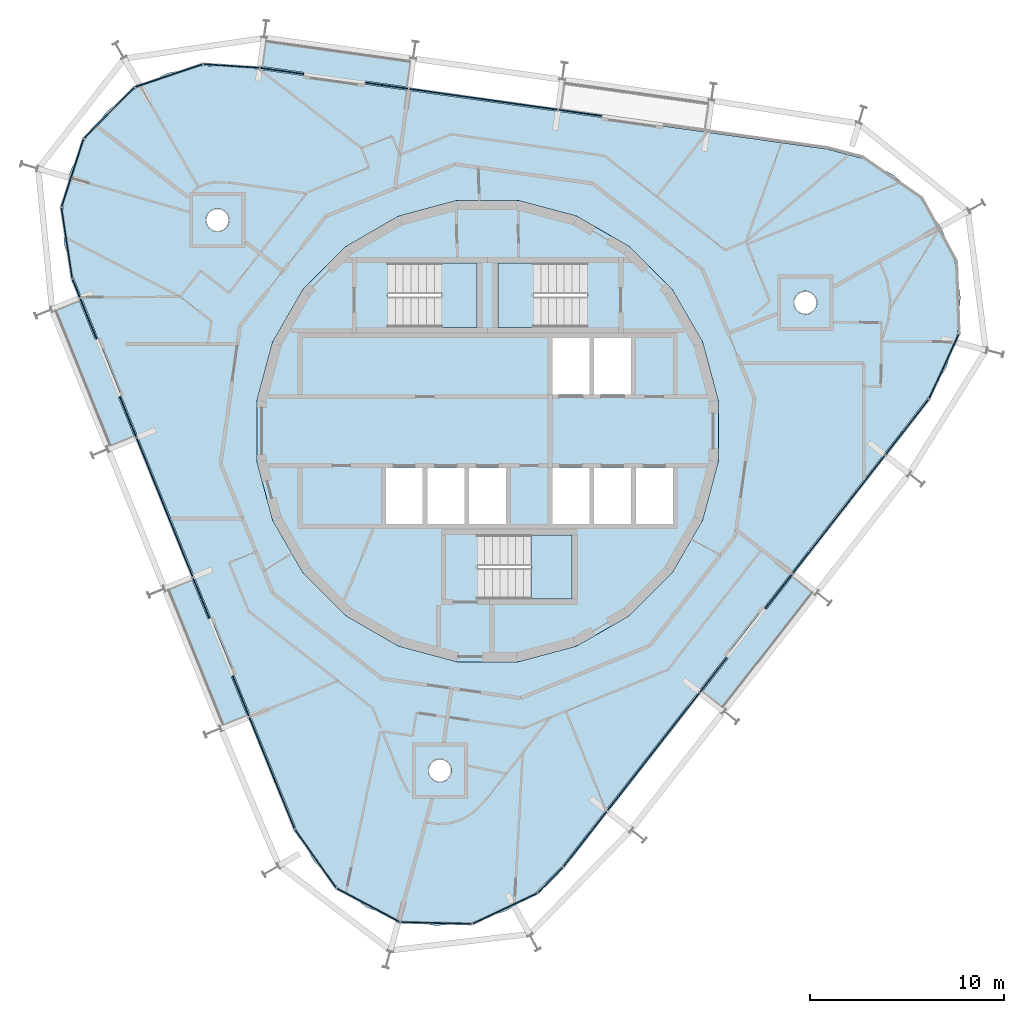
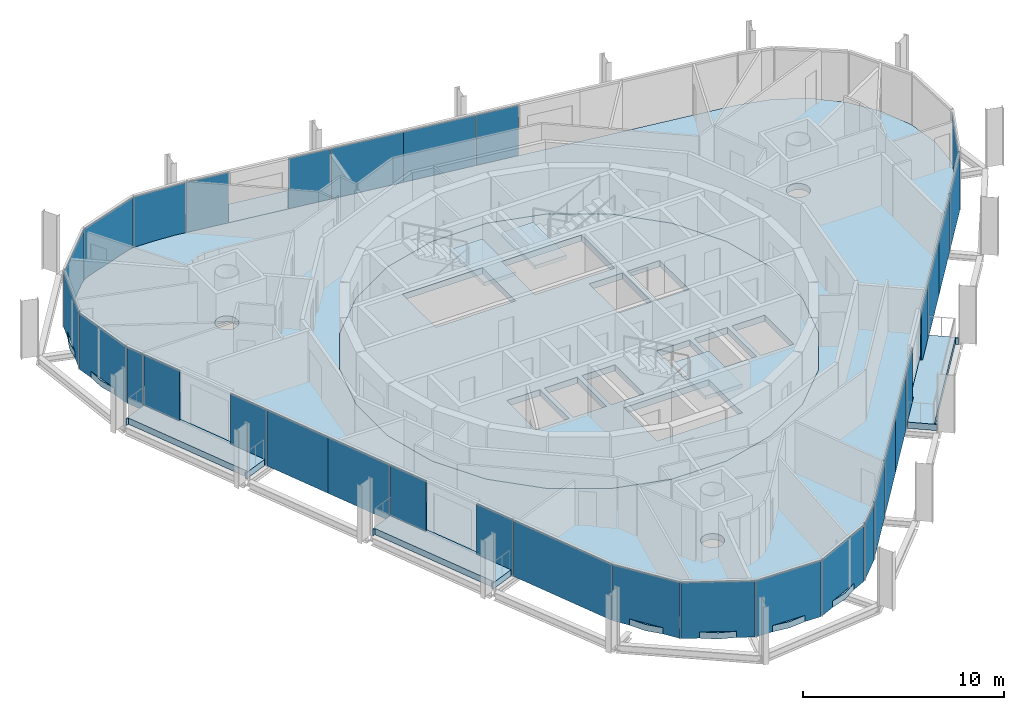
# One storey, part 8 of 15: 32 plates, 9 slabs, 9 elements without a shape of their own.
"""IFC4 building model written with IfcOpenShell, lengths in metres."""

from ifc_helpers import new_model, si_unit, direction, frame, origin, origin_2d, place, context, subcontext, project, spatial, polyline, rectangle, outline, extrude, material, layer, layer_set, type_object, element, aggregate, save


model = new_model("IFC4")

# Units and contexts
model_context = context("Model", 3, precision=1e-05, world=origin(), true_north=direction((0.0, 1.0)))
body_context = subcontext(model_context, "Body", "Model", "MODEL_VIEW")
ifc_project = project(units=[si_unit("LENGTHUNIT", "METRE"), si_unit("AREAUNIT", "SQUARE_METRE"), si_unit("VOLUMEUNIT", "CUBIC_METRE"), si_unit("PLANEANGLEUNIT", "RADIAN"), si_unit("MASSUNIT", "GRAM", prefix="KILO")], contexts=[model_context])

# Site, building, storey
site_placement = place(None, origin())
site = spatial("IfcSite", under=ifc_project, at=site_placement, CompositionType="ELEMENT")
building_placement = place(site_placement, origin())
building = spatial("IfcBuilding", under=site, at=building_placement, Name="Spindle Arch Residences", CompositionType="ELEMENT")
storey_placement = place(building_placement, frame((0.0, 0.0, 357.5)))
storey = spatial("IfcBuildingStorey", under=building, at=storey_placement, Name="L92", CompositionType="ELEMENT", Elevation=357.5)

# Slabs
ifc_material_1 = material(Name="Concrete C40/50", Category="concrete")
ifc_layer_1 = layer(ifc_material_1, 0.3798828125)
ifc_layer_set_1 = layer_set([ifc_layer_1], Name="Balcony slab 380")
slab_type_1 = type_object("IfcSlabType", Name="Balcony slab 380", PredefinedType="FLOOR", material=ifc_layer_set_1)
slab_1_placement = place(storey_placement, frame((0.0, 0.0, -0.3798828125)))
element("IfcSlab", 1, at=slab_1_placement, inside=storey, type_object=slab_type_1, Name="Balcony L92 bay 8", PredefinedType="FLOOR", context=body_context, shape_type="SweptSolid", body=[
    extrude(outline(polyline([(-3.909423828125, 19.219482421875), (-3.98388671875, 19.22998046875), (-4.004638671875, 19.08154296875), (-11.397705078125, 20.120361328125), (-11.376708984375, 20.26904296875), (-11.450927734375, 20.279541015625), (-11.658447265625, 18.803955078125), (-9.47216796875, 18.49658203125), (-9.494384765625, 18.338134765625), (-6.325439453125, 17.892822265625), (-6.30322265625, 18.05126953125), (-4.116943359375, 17.744140625), (-3.909423828125, 19.219482421875)])), origin(), (0.0, 0.0, 1.0), 0.3798828125),
])
slab_2_placement = place(storey_placement, frame((0.0, 0.0, -0.3798828125)))
element("IfcSlab", 2, at=slab_2_placement, inside=storey, type_object=slab_type_1, Name="Balcony L92 bay 12", PredefinedType="FLOOR", context=body_context, shape_type="SweptSolid", body=[
    extrude(outline(polyline([(-22.447265625, 6.204833984375), (-22.419189453125, 6.13525390625), (-22.280029296875, 6.19140625), (-19.4833984375, -0.73046875), (-19.62255859375, -0.78662109375), (-19.594482421875, -0.856201171875), (-18.212890625, -0.298095703125), (-19.0400390625, 1.7490234375), (-18.8916015625, 1.808837890625), (-20.09033203125, 4.77587890625), (-20.23876953125, 4.716064453125), (-21.06591796875, 6.762939453125), (-22.447265625, 6.204833984375)])), origin(), (0.0, 0.0, 1.0), 0.3798828125),
])
slab_3_placement = place(storey_placement, frame((0.0, 0.0, -0.3798828125)))
element("IfcSlab", 3, at=slab_3_placement, inside=storey, type_object=slab_type_1, Name="Balcony L92 bay 14", PredefinedType="FLOOR", context=body_context, shape_type="SweptSolid", body=[
    extrude(outline(polyline([(-16.629150390625, -8.195556640625), (-16.60107421875, -8.264892578125), (-16.462158203125, -8.208740234375), (-13.665283203125, -15.130859375), (-13.804443359375, -15.18701171875), (-13.7763671875, -15.256591796875), (-12.394775390625, -14.6982421875), (-13.221923828125, -12.6513671875), (-13.073486328125, -12.59130859375), (-14.272216796875, -9.624267578125), (-14.420654296875, -9.684326171875), (-15.247802734375, -7.63720703125), (-16.629150390625, -8.195556640625)])), origin(), (0.0, 0.0, 1.0), 0.3798828125),
])
slab_4_placement = place(storey_placement, frame((0.0, 0.0, -0.3798828125)))
element("IfcSlab", 4, at=slab_4_placement, inside=storey, type_object=slab_type_1, Name="Balcony L92 bay 20", PredefinedType="FLOOR", context=body_context, shape_type="SweptSolid", body=[
    extrude(outline(polyline([(12.224853515625, -14.38330078125), (12.27099609375, -14.323974609375), (12.15283203125, -14.231689453125), (16.7490234375, -8.348876953125), (16.8671875, -8.441162109375), (16.913330078125, -8.382080078125), (15.7392578125, -7.464599609375), (14.3798828125, -9.204345703125), (14.25390625, -9.10595703125), (12.28369140625, -11.627685546875), (12.409912109375, -11.72607421875), (11.050537109375, -13.4658203125), (12.224853515625, -14.38330078125)])), origin(), (0.0, 0.0, 1.0), 0.3798828125),
])
ifc_material_2 = material(Name="Concrete C50/60", Category="concrete")
ifc_layer_2 = layer(ifc_material_2, 0.3798828125)
ifc_layer_set_2 = layer_set([ifc_layer_2], Name="Core floor slab 380")
slab_type_2 = type_object("IfcSlabType", Name="Core floor slab 380", PredefinedType="FLOOR", material=ifc_layer_set_2)
slab_5_placement = place(storey_placement, frame((0.0, 0.0, -0.3798828125)))
element("IfcSlab", 5, at=slab_5_placement, inside=storey, type_object=slab_type_2, Name="Core floor L92", PredefinedType="FLOOR", context=body_context, shape_type="SweptSolid", body=[
    extrude(outline(polyline([(1.56640625, -11.897216796875), (4.59228515625, -11.086669921875), (7.30517578125, -9.520263671875), (9.520263671875, -7.30517578125), (11.086669921875, -4.59228515625), (11.897216796875, -1.56640625), (11.897216796875, 1.56640625), (11.086669921875, 4.59228515625), (9.520263671875, 7.30517578125), (7.30517578125, 9.520263671875), (4.59228515625, 11.086669921875), (1.56640625, 11.897216796875), (-1.56640625, 11.897216796875), (-4.59228515625, 11.086669921875), (-7.30517578125, 9.520263671875), (-9.520263671875, 7.30517578125), (-11.086669921875, 4.59228515625), (-11.897216796875, 1.56640625), (-11.897216796875, -1.56640625), (-11.086669921875, -4.59228515625), (-9.520263671875, -7.30517578125), (-7.30517578125, -9.520263671875), (-4.59228515625, -11.086669921875), (-1.56640625, -11.897216796875), (1.56640625, -11.897216796875)]), holes=[polyline([(3.35009765625, 1.89990234375), (5.25, 1.89990234375), (5.25, 4.800048828125), (3.35009765625, 4.800048828125), (3.35009765625, 1.89990234375)]), polyline([(5.5, 1.89990234375), (7.39990234375, 1.89990234375), (7.39990234375, 4.800048828125), (5.5, 4.800048828125), (5.5, 1.89990234375)]), polyline([(-5.25, -4.800048828125), (-3.35009765625, -4.800048828125), (-3.35009765625, -1.89990234375), (-5.25, -1.89990234375), (-5.25, -4.800048828125)]), polyline([(-3.10009765625, -4.800048828125), (-1.199951171875, -4.800048828125), (-1.199951171875, -1.89990234375), (-3.10009765625, -1.89990234375), (-3.10009765625, -4.800048828125)]), polyline([(-0.949951171875, -4.800048828125), (0.949951171875, -4.800048828125), (0.949951171875, -1.89990234375), (-0.949951171875, -1.89990234375), (-0.949951171875, -4.800048828125)]), polyline([(3.35009765625, -4.800048828125), (5.25, -4.800048828125), (5.25, -1.89990234375), (3.35009765625, -1.89990234375), (3.35009765625, -4.800048828125)]), polyline([(5.5, -4.800048828125), (7.39990234375, -4.800048828125), (7.39990234375, -1.89990234375), (5.5, -1.89990234375), (5.5, -4.800048828125)]), polyline([(7.64990234375, -4.800048828125), (9.550048828125, -4.800048828125), (9.550048828125, -1.89990234375), (7.64990234375, -1.89990234375), (7.64990234375, -4.800048828125)]), polyline([(5.1298828125, 8.669921875), (0.550048828125, 8.669921875), (0.550048828125, 5.35009765625), (5.1298828125, 5.35009765625), (5.1298828125, 8.669921875)]), polyline([(-5.1298828125, 5.35009765625), (-0.550048828125, 5.35009765625), (-0.550048828125, 8.669921875), (-5.1298828125, 8.669921875), (-5.1298828125, 5.35009765625)]), polyline([(-0.530029296875, -8.669921875), (4.35009765625, -8.669921875), (4.35009765625, -5.35009765625), (-0.530029296875, -5.35009765625), (-0.530029296875, -8.669921875)])]), origin(), (0.0, 0.0, 1.0), 0.3798828125),
])

# Stair, slab
ifc_material_3 = material(Name="Concrete C50/60", Category="concrete")
stair_type = type_object("IfcStairType", Name="Exit stair 16 risers", PredefinedType="HALF_TURN_STAIR", material=ifc_material_3)
stair_1_placement = place(storey_placement, origin())
stair_1 = element("IfcStair", 6, at=stair_1_placement, inside=storey, type_object=stair_type, Name="L92 Exit stair ST1", PredefinedType="HALF_TURN_STAIR")
ifc_material_4 = material(Name="Concrete C50/60", Category="concrete")
ifc_layer_3 = layer(ifc_material_4, 0.219970703125)
ifc_layer_set_3 = layer_set([ifc_layer_3], Name="Exit stair landing 220")
slab_type_3 = type_object("IfcSlabType", Name="Exit stair landing 220", PredefinedType="LANDING", material=ifc_layer_set_3)
slab_6_placement = place(storey_placement, frame((0.0, 0.0, 1.530029296875)))
slab_6 = element("IfcSlab", 7, at=slab_6_placement, type_object=slab_type_3, Name="ST1 landing 1", PredefinedType="LANDING", context=body_context, shape_type="SweptSolid", body=[
    extrude(outline(polyline([(2.3701171875, 8.669921875), (0.550048828125, 8.669921875), (0.550048828125, 5.35009765625), (2.3701171875, 5.35009765625), (2.3701171875, 8.669921875)])), origin(), (0.0, 0.0, 1.0), 0.219970703125),
])
aggregate(stair_1, [slab_6])

stair_2_placement = place(storey_placement, origin())
stair_2 = element("IfcStair", 8, at=stair_2_placement, inside=storey, type_object=stair_type, Name="L92 Exit stair ST2", PredefinedType="HALF_TURN_STAIR")
slab_7_placement = place(storey_placement, frame((0.0, 0.0, 1.530029296875)))
slab_7 = element("IfcSlab", 9, at=slab_7_placement, type_object=slab_type_3, Name="ST2 landing 1", PredefinedType="LANDING", context=body_context, shape_type="SweptSolid", body=[
    extrude(outline(polyline([(-2.3701171875, 5.35009765625), (-0.550048828125, 5.35009765625), (-0.550048828125, 8.669921875), (-2.3701171875, 8.669921875), (-2.3701171875, 5.35009765625)])), origin(), (0.0, 0.0, 1.0), 0.219970703125),
])
aggregate(stair_2, [slab_7])

stair_3_placement = place(storey_placement, origin())
stair_3 = element("IfcStair", 10, at=stair_3_placement, inside=storey, type_object=stair_type, Name="L92 Exit stair ST3", PredefinedType="HALF_TURN_STAIR")
slab_8_placement = place(storey_placement, frame((0.0, 0.0, 1.530029296875)))
slab_8 = element("IfcSlab", 11, at=slab_8_placement, type_object=slab_type_3, Name="ST3 landing 1", PredefinedType="LANDING", context=body_context, shape_type="SweptSolid", body=[
    extrude(outline(polyline([(2.22998046875, -8.669921875), (4.35009765625, -8.669921875), (4.35009765625, -5.35009765625), (2.22998046875, -5.35009765625), (2.22998046875, -8.669921875)])), origin(), (0.0, 0.0, 1.0), 0.219970703125),
])
aggregate(stair_3, [slab_8])

# Slab
ifc_material_5 = material(Name="Concrete C40/50", Category="concrete")
ifc_layer_4 = layer(ifc_material_5, 0.3798828125)
ifc_layer_set_4 = layer_set([ifc_layer_4], Name="Floor slab 380")
slab_type_4 = type_object("IfcSlabType", Name="Floor slab 380", PredefinedType="FLOOR", material=ifc_layer_set_4)
slab_9_placement = place(storey_placement, frame((0.0, 0.0, -0.3798828125)))
element("IfcSlab", 12, at=slab_9_placement, inside=storey, type_object=slab_type_4, Name="Floor slab L92", PredefinedType="FLOOR", context=body_context, shape_type="SweptSolid", body=[
    extrude(outline(polyline([(2.5380859375, -23.751220703125), (0.962890625, -24.735595703125), (-0.796875, -25.330078125), (-2.646240234375, -25.502685546875), (-4.485595703125, -25.244140625), (-6.2158203125, -24.568359375), (-7.74365234375, -23.511962890625), (-8.986572265625, -22.131591796875), (-9.877685546875, -20.501708984375), (-21.346923828125, 7.885986328125), (-21.838134765625, 9.677490234375), (-21.903076171875, 11.53369140625), (-21.5380859375, 13.35498046875), (-20.7626953125, 15.043212890625), (-19.619140625, 16.5068359375), (-18.1689453125, 17.667236328125), (-16.489990234375, 18.462158203125), (-14.673095703125, 18.848388671875), (-12.816162109375, 18.80517578125), (17.503173828125, 14.5439453125), (19.300048828125, 14.07373046875), (20.940185546875, 13.20166015625), (22.334716796875, 11.974853515625), (23.4091796875, 10.459716796875), (24.10498046875, 8.7373046875), (24.384765625, 6.901123046875), (24.233642578125, 5.0498046875), (23.65966796875, 3.283203125), (22.69384765625, 1.696533203125), (13.268798828125, -10.36669921875), (3.843994140625, -22.43017578125), (2.5380859375, -23.751220703125)]), holes=[polyline([(7.30517578125, -9.520263671875), (9.520263671875, -7.30517578125), (11.086669921875, -4.59228515625), (11.897216796875, -1.56640625), (11.897216796875, 1.56640625), (11.086669921875, 4.59228515625), (9.520263671875, 7.30517578125), (7.30517578125, 9.520263671875), (4.59228515625, 11.086669921875), (1.56640625, 11.897216796875), (-1.56640625, 11.897216796875), (-4.59228515625, 11.086669921875), (-7.30517578125, 9.520263671875), (-9.520263671875, 7.30517578125), (-11.086669921875, 4.59228515625), (-11.897216796875, 1.56640625), (-11.897216796875, -1.56640625), (-11.086669921875, -4.59228515625), (-9.520263671875, -7.30517578125), (-7.30517578125, -9.520263671875), (-4.59228515625, -11.086669921875), (-1.56640625, -11.897216796875), (1.56640625, -11.897216796875), (4.59228515625, -11.086669921875), (7.30517578125, -9.520263671875)]), polyline([(-1.961181640625, -17.838134765625), (-1.90576171875, -17.734375), (-1.87158203125, -17.621826171875), (-1.860107421875, -17.5048828125), (-1.87158203125, -17.3876953125), (-1.90576171875, -17.275146484375), (-1.961181640625, -17.17138671875), (-2.035888671875, -17.08056640625), (-2.126708984375, -17.005859375), (-2.23046875, -16.950439453125), (-2.343017578125, -16.916259765625), (-2.460205078125, -16.90478515625), (-2.5771484375, -16.916259765625), (-2.689697265625, -16.950439453125), (-2.79345703125, -17.005859375), (-2.884521484375, -17.08056640625), (-2.958984375, -17.17138671875), (-3.014404296875, -17.275146484375), (-3.048583984375, -17.3876953125), (-3.06005859375, -17.5048828125), (-3.048583984375, -17.621826171875), (-3.014404296875, -17.734375), (-2.958984375, -17.838134765625), (-2.884521484375, -17.92919921875), (-2.79345703125, -18.003662109375), (-2.689697265625, -18.05908203125), (-2.5771484375, -18.09326171875), (-2.460205078125, -18.104736328125), (-2.343017578125, -18.09326171875), (-2.23046875, -18.05908203125), (-2.126708984375, -18.003662109375), (-2.035888671875, -17.92919921875), (-1.961181640625, -17.838134765625)]), polyline([(-13.505126953125, 10.458740234375), (-13.4306640625, 10.5498046875), (-13.375244140625, 10.6533203125), (-13.341064453125, 10.765869140625), (-13.32958984375, 10.883056640625), (-13.341064453125, 11.0), (-13.375244140625, 11.112548828125), (-13.4306640625, 11.21630859375), (-13.505126953125, 11.307373046875), (-13.59619140625, 11.3818359375), (-13.699951171875, 11.437255859375), (-13.8125, 11.471435546875), (-13.929443359375, 11.48291015625), (-14.046630859375, 11.471435546875), (-14.1591796875, 11.437255859375), (-14.2626953125, 11.3818359375), (-14.353759765625, 11.307373046875), (-14.428466796875, 11.21630859375), (-14.48388671875, 11.112548828125), (-14.51806640625, 11.0), (-14.529541015625, 10.883056640625), (-14.51806640625, 10.765869140625), (-14.48388671875, 10.6533203125), (-14.428466796875, 10.5498046875), (-14.353759765625, 10.458740234375), (-14.2626953125, 10.384033203125), (-14.1591796875, 10.32861328125), (-14.046630859375, 10.29443359375), (-13.929443359375, 10.282958984375), (-13.8125, 10.29443359375), (-13.699951171875, 10.32861328125), (-13.59619140625, 10.384033203125), (-13.505126953125, 10.458740234375)]), polyline([(16.81396484375, 6.197509765625), (16.888671875, 6.28857421875), (16.944091796875, 6.392333984375), (16.978271484375, 6.5048828125), (16.98974609375, 6.621826171875), (16.978271484375, 6.739013671875), (16.944091796875, 6.8515625), (16.888671875, 6.955078125), (16.81396484375, 7.046142578125), (16.722900390625, 7.120849609375), (16.619384765625, 7.17626953125), (16.5068359375, 7.21044921875), (16.3896484375, 7.221923828125), (16.272705078125, 7.21044921875), (16.16015625, 7.17626953125), (16.056396484375, 7.120849609375), (15.96533203125, 7.046142578125), (15.890869140625, 6.955078125), (15.83544921875, 6.8515625), (15.80126953125, 6.739013671875), (15.789794921875, 6.621826171875), (15.80126953125, 6.5048828125), (15.83544921875, 6.392333984375), (15.890869140625, 6.28857421875), (15.96533203125, 6.197509765625), (16.056396484375, 6.123046875), (16.16015625, 6.067626953125), (16.272705078125, 6.033447265625), (16.3896484375, 6.02197265625), (16.5068359375, 6.033447265625), (16.619384765625, 6.067626953125), (16.722900390625, 6.123046875), (16.81396484375, 6.197509765625)])]), origin(), (0.0, 0.0, 1.0), 0.3798828125),
])

# Curtain wall, plates
ifc_material_6 = material(Name="Aluminium bronze unitised frame with tinted glass", Category="aluminium")
ifc_layer_5 = layer(ifc_material_6, 0.159912109375)
ifc_layer_set_5 = layer_set([ifc_layer_5], Name="CW-D corner wall on the fillet arcs")
curtain_wall_type_1 = type_object("IfcCurtainWallType", Name="CW-D corner wall on the fillet arcs", PredefinedType="NOTDEFINED", material=ifc_layer_set_5)
curtain_wall_1_placement = place(storey_placement, origin())
curtain_wall_1 = element("IfcCurtainWall", 13, at=curtain_wall_1_placement, inside=storey, type_object=curtain_wall_type_1, Name="CW-D L92 run 1", PredefinedType="NOTDEFINED")
ifc_material_7 = material(Name="Tinted double glazing over aluminium faced non-combustible spandrel zone (K0)", Category="aluminium")
ifc_layer_6 = layer(ifc_material_7, 0.06005859375)
ifc_layer_set_6 = layer_set([ifc_layer_6], Name="Unitised glass panel with E 60 spandrel zone")
plate_type = type_object("IfcPlateType", Name="Unitised glass panel with E 60 spandrel zone", PredefinedType="CURTAIN_PANEL", material=ifc_layer_set_6)
plate_1_placement = place(storey_placement, frame((21.630126953125, 0.205078125, -0.3798828125), z_axis=(0.0, 0.0, 1.0), x_axis=(0.615661475326, 0.788010753607, 0.0)))
plate_1 = element("IfcPlate", 14, at=plate_1_placement, type_object=plate_type, Name="CW-D unit 00", PredefinedType="CURTAIN_PANEL", context=body_context, shape_type="SweptSolid", body=[
    extrude(rectangle(XDim=3.60009765625, YDim=0.06005859375, at=origin_2d()), origin(), (0.0, 0.0, 1.0), 3.3798828125),
])
plate_2_placement = place(storey_placement, frame((23.534423828125, 3.340576171875, -0.3798828125), z_axis=(0.0, 0.0, 1.0), x_axis=(0.417338452362, 0.908751129947, 0.0)))
plate_2 = element("IfcPlate", 15, at=plate_2_placement, type_object=plate_type, Name="CW-D unit 01", PredefinedType="CURTAIN_PANEL", context=body_context, shape_type="SweptSolid", body=[
    extrude(rectangle(XDim=3.666748046875, YDim=0.06005859375, at=origin_2d()), origin(), (0.0, 0.0, 1.0), 3.3798828125),
])
aggregate(curtain_wall_1, [plate_1, plate_2])

ifc_material_8 = material(Name="Aluminium bronze unitised frame with tinted glass", Category="aluminium")
ifc_layer_7 = layer(ifc_material_8, 0.159912109375)
ifc_layer_set_7 = layer_set([ifc_layer_7], Name="CW-C typical residential unitised wall")
curtain_wall_type_2 = type_object("IfcCurtainWallType", Name="CW-C typical residential unitised wall", PredefinedType="NOTDEFINED", material=ifc_layer_set_7)
curtain_wall_2_placement = place(storey_placement, origin())
curtain_wall_2 = element("IfcCurtainWall", 16, at=curtain_wall_2_placement, inside=storey, type_object=curtain_wall_type_2, Name="CW-C L92 run 2", PredefinedType="NOTDEFINED")
plate_3_placement = place(storey_placement, frame((4.781494140625, 16.41259765625, -0.3798828125), z_axis=(0.0, 0.0, 1.0), x_axis=(-0.990268068742, 0.13917310096, 0.0)))
plate_3 = element("IfcPlate", 17, at=plate_3_placement, type_object=plate_type, Name="CW-C unit 05R", PredefinedType="CURTAIN_PANEL", context=body_context, shape_type="SweptSolid", body=[
    extrude(rectangle(XDim=2.252685546875, YDim=0.06005859375, at=origin_2d()), origin(), (0.0, 0.0, 1.0), 3.3798828125),
])
plate_4_placement = place(storey_placement, frame((1.698974609375, 16.845947265625, -0.3798828125), z_axis=(0.0, 0.0, 1.0), x_axis=(-0.990268068742, 0.13917310096, 0.0)))
plate_4 = element("IfcPlate", 18, at=plate_4_placement, type_object=plate_type, Name="CW-C unit 06A", PredefinedType="CURTAIN_PANEL", context=body_context, shape_type="SweptSolid", body=[
    extrude(rectangle(XDim=3.852783203125, YDim=0.06005859375, at=origin_2d()), origin(), (0.0, 0.0, 1.0), 3.3798828125),
])
plate_5_placement = place(storey_placement, frame((-2.116455078125, 17.382080078125, -0.3798828125), z_axis=(0.0, 0.0, 1.0), x_axis=(-0.990268068742, 0.13917310096, 0.0)))
plate_5 = element("IfcPlate", 19, at=plate_5_placement, type_object=plate_type, Name="CW-C unit 06B", PredefinedType="CURTAIN_PANEL", context=body_context, shape_type="SweptSolid", body=[
    extrude(rectangle(XDim=3.852783203125, YDim=0.06005859375, at=origin_2d()), origin(), (0.0, 0.0, 1.0), 3.3798828125),
])
plate_6_placement = place(storey_placement, frame((-5.198974609375, 17.8154296875, -0.3798828125), z_axis=(0.0, 0.0, 1.0), x_axis=(-0.990268068742, 0.13917310096, 0.0)))
plate_6 = element("IfcPlate", 20, at=plate_6_placement, type_object=plate_type, Name="CW-C unit 07L", PredefinedType="CURTAIN_PANEL", context=body_context, shape_type="SweptSolid", body=[
    extrude(rectangle(XDim=2.252685546875, YDim=0.06005859375, at=origin_2d()), origin(), (0.0, 0.0, 1.0), 3.3798828125),
])
plate_7_placement = place(storey_placement, frame((-10.5986328125, 18.57421875, -0.3798828125), z_axis=(0.0, 0.0, 1.0), x_axis=(-0.990268068742, 0.13917310096, 0.0)))
plate_7 = element("IfcPlate", 21, at=plate_7_placement, type_object=plate_type, Name="CW-C unit 07R", PredefinedType="CURTAIN_PANEL", context=body_context, shape_type="SweptSolid", body=[
    extrude(rectangle(XDim=2.252685546875, YDim=0.06005859375, at=origin_2d()), origin(), (0.0, 0.0, 1.0), 3.3798828125),
])
aggregate(curtain_wall_2, [plate_3, plate_4, plate_5, plate_6, plate_7])

curtain_wall_3_placement = place(storey_placement, origin())
curtain_wall_3 = element("IfcCurtainWall", 22, at=curtain_wall_3_placement, inside=storey, type_object=curtain_wall_type_1, Name="CW-D L92 run 3", PredefinedType="NOTDEFINED")
plate_8_placement = place(storey_placement, frame((-13.212158203125, 18.83154296875, -0.3798828125), z_axis=(0.0, 0.0, 1.0), x_axis=(-0.99785193122, 0.065509719587, 0.0)))
plate_8 = element("IfcPlate", 23, at=plate_8_placement, type_object=plate_type, Name="CW-D unit 00", PredefinedType="CURTAIN_PANEL", context=body_context, shape_type="SweptSolid", body=[
    extrude(rectangle(XDim=2.883056640625, YDim=0.06005859375, at=origin_2d()), origin(), (0.0, 0.0, 1.0), 3.3798828125),
])
plate_9_placement = place(storey_placement, frame((-16.446044921875, 18.33154296875, -0.3798828125), z_axis=(0.0, 0.0, 1.0), x_axis=(-0.947396640541, -0.320061877599, 0.0)))
plate_9 = element("IfcPlate", 24, at=plate_9_placement, type_object=plate_type, Name="CW-D unit 01", PredefinedType="CURTAIN_PANEL", context=body_context, shape_type="SweptSolid", body=[
    extrude(rectangle(XDim=3.666748046875, YDim=0.06005859375, at=origin_2d()), origin(), (0.0, 0.0, 1.0), 3.3798828125),
])
plate_10_placement = place(storey_placement, frame((-19.521240234375, 16.409912109375, -0.3798828125), z_axis=(0.0, 0.0, 1.0), x_axis=(-0.702981055369, -0.711208574043, 0.0)))
plate_10 = element("IfcPlate", 25, at=plate_10_placement, type_object=plate_type, Name="CW-D unit 02", PredefinedType="CURTAIN_PANEL", context=body_context, shape_type="SweptSolid", body=[
    extrude(rectangle(XDim=3.666748046875, YDim=0.06005859375, at=origin_2d()), origin(), (0.0, 0.0, 1.0), 3.3798828125),
])
plate_11_placement = place(storey_placement, frame((-21.406982421875, 13.3125, -0.3798828125), z_axis=(0.0, 0.0, 1.0), x_axis=(-0.309016990673, -0.951056517498, 0.0)))
plate_11 = element("IfcPlate", 26, at=plate_11_placement, type_object=plate_type, Name="CW-D unit 03", PredefinedType="CURTAIN_PANEL", context=body_context, shape_type="SweptSolid", body=[
    extrude(rectangle(XDim=3.666748046875, YDim=0.06005859375, at=origin_2d()), origin(), (0.0, 0.0, 1.0), 3.3798828125),
])
plate_12_placement = place(storey_placement, frame((-21.701904296875, 9.6982421875, -0.3798828125), z_axis=(0.0, 0.0, 1.0), x_axis=(0.150685718984, -0.988581718471, 0.0)))
plate_12 = element("IfcPlate", 27, at=plate_12_placement, type_object=plate_type, Name="CW-D unit 04", PredefinedType="CURTAIN_PANEL", context=body_context, shape_type="SweptSolid", body=[
    extrude(rectangle(XDim=3.666748046875, YDim=0.06005859375, at=origin_2d()), origin(), (0.0, 0.0, 1.0), 3.3798828125),
])
plate_13_placement = place(storey_placement, frame((-21.220458984375, 7.359375, -0.3798828125), z_axis=(0.0, 0.0, 1.0), x_axis=(0.374606593416, -0.927183854567, 0.0)))
plate_13 = element("IfcPlate", 28, at=plate_13_placement, type_object=plate_type, Name="CW-D unit 05", PredefinedType="CURTAIN_PANEL", context=body_context, shape_type="SweptSolid", body=[
    extrude(rectangle(XDim=1.01171875, YDim=0.06005859375, at=origin_2d()), origin(), (0.0, 0.0, 1.0), 3.3798828125),
])
aggregate(curtain_wall_3, [plate_8, plate_9, plate_10, plate_11, plate_12, plate_13])

curtain_wall_4_placement = place(storey_placement, origin())
curtain_wall_4 = element("IfcCurtainWall", 29, at=curtain_wall_4_placement, inside=storey, type_object=curtain_wall_type_2, Name="CW-C L92 run 4", PredefinedType="NOTDEFINED")
plate_14_placement = place(storey_placement, frame((-20.58642578125, 5.790283203125, -0.3798828125), z_axis=(0.0, 0.0, 1.0), x_axis=(0.374606593416, -0.927183854567, 0.0)))
plate_14 = element("IfcPlate", 30, at=plate_14_placement, type_object=plate_type, Name="CW-C unit 11L", PredefinedType="CURTAIN_PANEL", context=body_context, shape_type="SweptSolid", body=[
    extrude(rectangle(XDim=2.252685546875, YDim=0.06005859375, at=origin_2d()), origin(), (0.0, 0.0, 1.0), 3.3798828125),
])
plate_15_placement = place(storey_placement, frame((-18.5439453125, 0.734619140625, -0.3798828125), z_axis=(0.0, 0.0, 1.0), x_axis=(0.374606593416, -0.927183854567, 0.0)))
plate_15 = element("IfcPlate", 31, at=plate_15_placement, type_object=plate_type, Name="CW-C unit 11R", PredefinedType="CURTAIN_PANEL", context=body_context, shape_type="SweptSolid", body=[
    extrude(rectangle(XDim=2.252685546875, YDim=0.06005859375, at=origin_2d()), origin(), (0.0, 0.0, 1.0), 3.3798828125),
])
plate_16_placement = place(storey_placement, frame((-17.377685546875, -2.151611328125, -0.3798828125), z_axis=(0.0, 0.0, 1.0), x_axis=(0.374606593416, -0.927183854567, 0.0)))
plate_16 = element("IfcPlate", 32, at=plate_16_placement, type_object=plate_type, Name="CW-C unit 12A", PredefinedType="CURTAIN_PANEL", context=body_context, shape_type="SweptSolid", body=[
    extrude(rectangle(XDim=3.852783203125, YDim=0.06005859375, at=origin_2d()), origin(), (0.0, 0.0, 1.0), 3.3798828125),
])
plate_17_placement = place(storey_placement, frame((-15.9345703125, -5.723876953125, -0.3798828125), z_axis=(0.0, 0.0, 1.0), x_axis=(0.374606593416, -0.927183854567, 0.0)))
plate_17 = element("IfcPlate", 33, at=plate_17_placement, type_object=plate_type, Name="CW-C unit 12B", PredefinedType="CURTAIN_PANEL", context=body_context, shape_type="SweptSolid", body=[
    extrude(rectangle(XDim=3.852783203125, YDim=0.06005859375, at=origin_2d()), origin(), (0.0, 0.0, 1.0), 3.3798828125),
])
plate_18_placement = place(storey_placement, frame((-14.7685546875, -8.60986328125, -0.3798828125), z_axis=(0.0, 0.0, 1.0), x_axis=(0.374606593416, -0.927183854567, 0.0)))
plate_18 = element("IfcPlate", 34, at=plate_18_placement, type_object=plate_type, Name="CW-C unit 13L", PredefinedType="CURTAIN_PANEL", context=body_context, shape_type="SweptSolid", body=[
    extrude(rectangle(XDim=2.252685546875, YDim=0.06005859375, at=origin_2d()), origin(), (0.0, 0.0, 1.0), 3.3798828125),
])
plate_19_placement = place(storey_placement, frame((-12.725830078125, -13.665771484375, -0.3798828125), z_axis=(0.0, 0.0, 1.0), x_axis=(0.374606593416, -0.927183854567, 0.0)))
plate_19 = element("IfcPlate", 35, at=plate_19_placement, type_object=plate_type, Name="CW-C unit 13R", PredefinedType="CURTAIN_PANEL", context=body_context, shape_type="SweptSolid", body=[
    extrude(rectangle(XDim=2.252685546875, YDim=0.06005859375, at=origin_2d()), origin(), (0.0, 0.0, 1.0), 3.3798828125),
])
aggregate(curtain_wall_4, [plate_14, plate_15, plate_16, plate_17, plate_18, plate_19])

curtain_wall_5_placement = place(storey_placement, origin())
curtain_wall_5 = element("IfcCurtainWall", 36, at=curtain_wall_5_placement, inside=storey, type_object=curtain_wall_type_1, Name="CW-D L92 run 5", PredefinedType="NOTDEFINED")
plate_20_placement = place(storey_placement, frame((-11.122314453125, -17.634765625, -0.3798828125), z_axis=(0.0, 0.0, 1.0), x_axis=(0.374606593416, -0.927183854567, 0.0)))
plate_20 = element("IfcPlate", 37, at=plate_20_placement, type_object=plate_type, Name="CW-D unit 00", PredefinedType="CURTAIN_PANEL", context=body_context, shape_type="SweptSolid", body=[
    extrude(rectangle(XDim=6.188720703125, YDim=0.06005859375, at=origin_2d()), origin(), (0.0, 0.0, 1.0), 3.3798828125),
])
plate_21_placement = place(storey_placement, frame((-8.8740234375, -22.0517578125, -0.3798828125), z_axis=(0.0, 0.0, 1.0), x_axis=(0.578332338584, -0.815801266332, 0.0)))
plate_21 = element("IfcPlate", 38, at=plate_21_placement, type_object=plate_type, Name="CW-D unit 01", PredefinedType="CURTAIN_PANEL", context=body_context, shape_type="SweptSolid", body=[
    extrude(rectangle(XDim=3.666748046875, YDim=0.06005859375, at=origin_2d()), origin(), (0.0, 0.0, 1.0), 3.3798828125),
])
plate_22_placement = place(storey_placement, frame((-6.151123046875, -24.44677734375, -0.3798828125), z_axis=(0.0, 0.0, 1.0), x_axis=(0.882947592408, -0.469471563633, 0.0)))
plate_22 = element("IfcPlate", 39, at=plate_22_placement, type_object=plate_type, Name="CW-D unit 02", PredefinedType="CURTAIN_PANEL", context=body_context, shape_type="SweptSolid", body=[
    extrude(rectangle(XDim=3.666748046875, YDim=0.06005859375, at=origin_2d()), origin(), (0.0, 0.0, 1.0), 3.3798828125),
])
plate_23_placement = place(storey_placement, frame((-2.64306640625, -25.364990234375, -0.3798828125), z_axis=(0.0, 0.0, 1.0), x_axis=(0.999729241109, -0.023268959422, 0.0)))
plate_23 = element("IfcPlate", 40, at=plate_23_placement, type_object=plate_type, Name="CW-D unit 03", PredefinedType="CURTAIN_PANEL", context=body_context, shape_type="SweptSolid", body=[
    extrude(rectangle(XDim=3.666748046875, YDim=0.06005859375, at=origin_2d()), origin(), (0.0, 0.0, 1.0), 3.3798828125),
])
plate_24_placement = place(storey_placement, frame((0.904052734375, -24.61083984375, -0.3798828125), z_axis=(0.0, 0.0, 1.0), x_axis=(0.903833768547, 0.427883767902, 0.0)))
plate_24 = element("IfcPlate", 41, at=plate_24_placement, type_object=plate_type, Name="CW-D unit 04", PredefinedType="CURTAIN_PANEL", context=body_context, shape_type="SweptSolid", body=[
    extrude(rectangle(XDim=3.666748046875, YDim=0.06005859375, at=origin_2d()), origin(), (0.0, 0.0, 1.0), 3.3798828125),
])
plate_25_placement = place(storey_placement, frame((3.24755859375, -23.146484375, -0.3798828125), z_axis=(0.0, 0.0, 1.0), x_axis=(0.702981053644, 0.711208575748, 0.0)))
plate_25 = element("IfcPlate", 42, at=plate_25_placement, type_object=plate_type, Name="CW-D unit 05", PredefinedType="CURTAIN_PANEL", context=body_context, shape_type="SweptSolid", body=[
    extrude(rectangle(XDim=1.816162109375, YDim=0.06005859375, at=origin_2d()), origin(), (0.0, 0.0, 1.0), 3.3798828125),
])
plate_26_placement = place(storey_placement, frame((5.03369140625, -21.037109375, -0.3798828125), z_axis=(0.0, 0.0, 1.0), x_axis=(0.615661475326, 0.788010753607, 0.0)))
plate_26 = element("IfcPlate", 43, at=plate_26_placement, type_object=plate_type, Name="CW-D unit 06", PredefinedType="CURTAIN_PANEL", context=body_context, shape_type="SweptSolid", body=[
    extrude(rectangle(XDim=3.60009765625, YDim=0.06005859375, at=origin_2d()), origin(), (0.0, 0.0, 1.0), 3.3798828125),
])
aggregate(curtain_wall_5, [plate_20, plate_21, plate_22, plate_23, plate_24, plate_25, plate_26])

curtain_wall_6_placement = place(storey_placement, origin())
curtain_wall_6 = element("IfcCurtainWall", 44, at=curtain_wall_6_placement, inside=storey, type_object=curtain_wall_type_2, Name="CW-C L92 run 6", PredefinedType="NOTDEFINED")
plate_27_placement = place(storey_placement, frame((7.364990234375, -18.053466796875, -0.3798828125), z_axis=(0.0, 0.0, 1.0), x_axis=(0.615661475326, 0.788010753607, 0.0)))
plate_27 = element("IfcPlate", 45, at=plate_27_placement, type_object=plate_type, Name="CW-C unit 18A", PredefinedType="CURTAIN_PANEL", context=body_context, shape_type="SweptSolid", body=[
    extrude(rectangle(XDim=3.852783203125, YDim=0.06005859375, at=origin_2d()), origin(), (0.0, 0.0, 1.0), 3.3798828125),
])
plate_28_placement = place(storey_placement, frame((9.73681640625, -15.017333984375, -0.3798828125), z_axis=(0.0, 0.0, 1.0), x_axis=(0.615661475326, 0.788010753607, 0.0)))
plate_28 = element("IfcPlate", 46, at=plate_28_placement, type_object=plate_type, Name="CW-C unit 18B", PredefinedType="CURTAIN_PANEL", context=body_context, shape_type="SweptSolid", body=[
    extrude(rectangle(XDim=3.852783203125, YDim=0.06005859375, at=origin_2d()), origin(), (0.0, 0.0, 1.0), 3.3798828125),
])
plate_29_placement = place(storey_placement, frame((11.6533203125, -12.564453125, -0.3798828125), z_axis=(0.0, 0.0, 1.0), x_axis=(0.615661475326, 0.788010753607, 0.0)))
plate_29 = element("IfcPlate", 47, at=plate_29_placement, type_object=plate_type, Name="CW-C unit 19L", PredefinedType="CURTAIN_PANEL", context=body_context, shape_type="SweptSolid", body=[
    extrude(rectangle(XDim=2.252685546875, YDim=0.06005859375, at=origin_2d()), origin(), (0.0, 0.0, 1.0), 3.3798828125),
])
plate_30_placement = place(storey_placement, frame((15.010498046875, -8.267578125, -0.3798828125), z_axis=(0.0, 0.0, 1.0), x_axis=(0.615661475326, 0.788010753607, 0.0)))
plate_30 = element("IfcPlate", 48, at=plate_30_placement, type_object=plate_type, Name="CW-C unit 19R", PredefinedType="CURTAIN_PANEL", context=body_context, shape_type="SweptSolid", body=[
    extrude(rectangle(XDim=2.252685546875, YDim=0.06005859375, at=origin_2d()), origin(), (0.0, 0.0, 1.0), 3.3798828125),
])
plate_31_placement = place(storey_placement, frame((16.9267578125, -5.814697265625, -0.3798828125), z_axis=(0.0, 0.0, 1.0), x_axis=(0.615661475326, 0.788010753607, 0.0)))
plate_31 = element("IfcPlate", 49, at=plate_31_placement, type_object=plate_type, Name="CW-C unit 00A", PredefinedType="CURTAIN_PANEL", context=body_context, shape_type="SweptSolid", body=[
    extrude(rectangle(XDim=3.852783203125, YDim=0.06005859375, at=origin_2d()), origin(), (0.0, 0.0, 1.0), 3.3798828125),
])
plate_32_placement = place(storey_placement, frame((19.298828125, -2.778564453125, -0.3798828125), z_axis=(0.0, 0.0, 1.0), x_axis=(0.615661475326, 0.788010753607, 0.0)))
plate_32 = element("IfcPlate", 50, at=plate_32_placement, type_object=plate_type, Name="CW-C unit 00B", PredefinedType="CURTAIN_PANEL", context=body_context, shape_type="SweptSolid", body=[
    extrude(rectangle(XDim=3.852783203125, YDim=0.06005859375, at=origin_2d()), origin(), (0.0, 0.0, 1.0), 3.3798828125),
])
aggregate(curtain_wall_6, [plate_27, plate_28, plate_29, plate_30, plate_31, plate_32])

save(model, "model.ifc")
